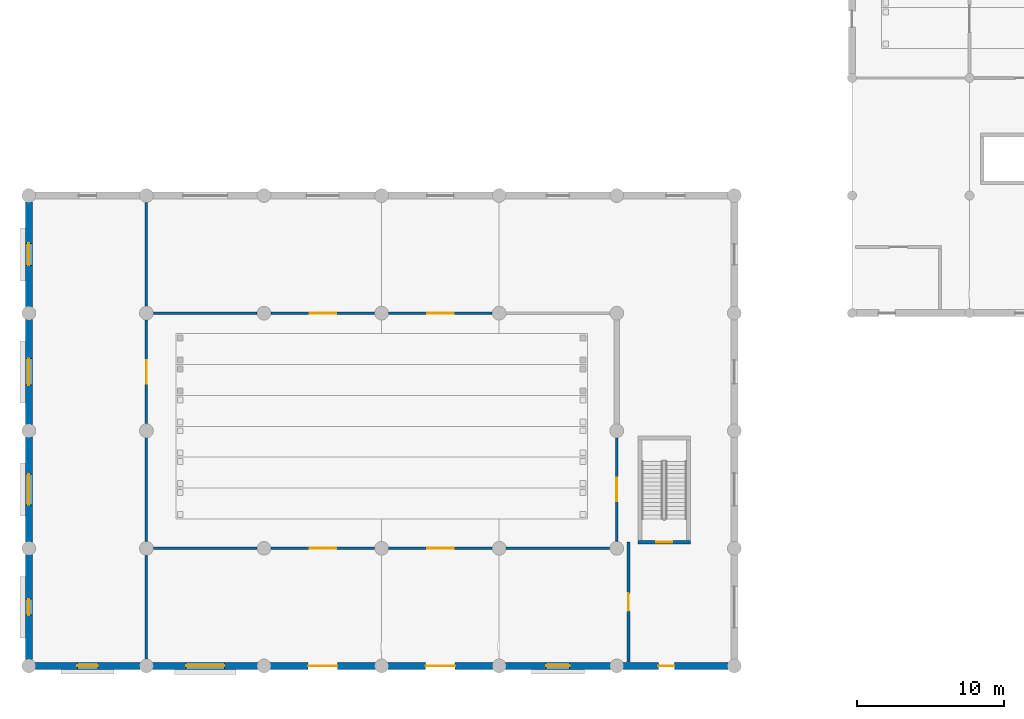
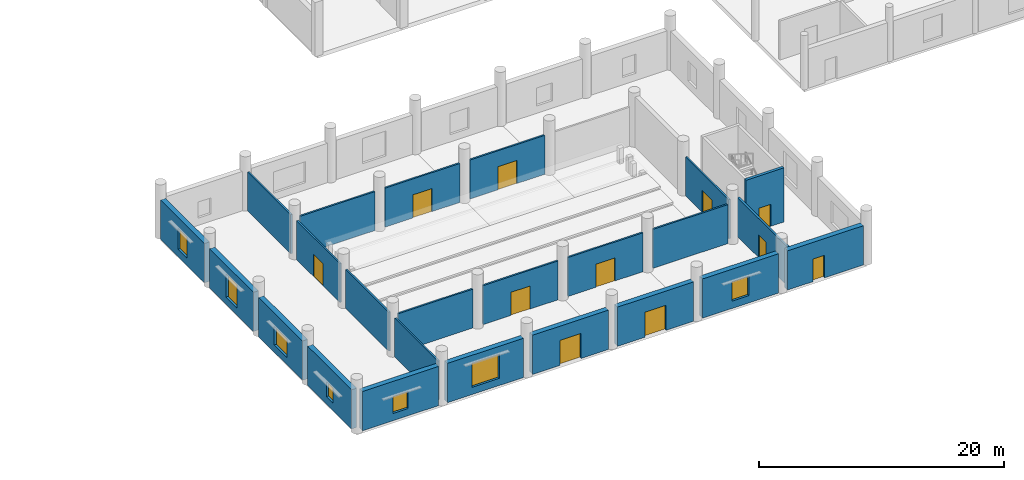
# One storey, part 21 of 42: 24 walls, 11 doors, 7 windows, 18 openings.
"""IFC4 building model written with IfcOpenShell, lengths in metres."""

from ifc_helpers import new_model, si_unit, direction, frame, frame_2d, origin, place, context, subcontext, project, spatial, rectangle, extrude, material, layer, layer_set, type_object, element, fill, save


model = new_model("IFC4")

# Units and contexts
model_context = context("Model", 3, precision=1e-05, world=origin(), true_north=direction((0.0, 1.0)))
body_context = subcontext(model_context, "Body", "Model", "MODEL_VIEW")
ifc_project = project(units=[si_unit("LENGTHUNIT", "METRE"), si_unit("AREAUNIT", "SQUARE_METRE"), si_unit("VOLUMEUNIT", "CUBIC_METRE"), si_unit("PLANEANGLEUNIT", "RADIAN"), si_unit("MASSUNIT", "GRAM", prefix="KILO")], contexts=[model_context])

# Site, building, storey
site_placement = place(None, origin())
site = spatial("IfcSite", under=ifc_project, at=site_placement, CompositionType="ELEMENT")
building_placement = place(site_placement, origin())
building = spatial("IfcBuilding", under=site, at=building_placement, Name="Pecanmere Concourse Central Library", CompositionType="ELEMENT")
storey_placement = place(building_placement, origin())
storey = spatial("IfcBuildingStorey", under=building, at=storey_placement, Name="L01", CompositionType="ELEMENT", Elevation=0.0)

# Wall, opening, window
ifc_material_1 = material(Name="Texas sunset granite ashlar", Category="masonry")
ifc_layer_1 = layer(ifc_material_1, 0.47998046875, Name="EW_GRAN_480")
ifc_layer_set_1 = layer_set([ifc_layer_1], Name="Texas sunset granite ashlar")
wall_type_1 = type_object("IfcWallType", Name="EW_GRAN_480", PredefinedType="STANDARD", material=ifc_layer_set_1)
wall_1_placement = place(storey_placement, frame((0.423095703125, 0.0, 0.0), z_axis=(0.0, 0.0, 1.0), x_axis=(1.0, 0.0, 0.0)))
wall_1 = element("IfcWall", 1, at=wall_1_placement, inside=storey, type_object=wall_type_1, Name="Limestone Facade Wall L01-0010", PredefinedType="STANDARD", context=body_context, shape_type="SweptSolid", body=[
    extrude(rectangle(XDim=7.15380859375, YDim=0.47998046875, at=frame_2d((3.576904296875, 0.0))), origin(), (0.0, 0.0, 1.0), 3.909912109375),
])
opening_1_placement = place(wall_1_placement, frame((2.876953125, 0.0, 0.719970703125)))
opening_1 = element("IfcOpeningElement", 2, at=opening_1_placement, cuts=wall_1, Name="Opening WN-11", PredefinedType="OPENING", context=body_context, shape_type="SweptSolid", body=[
    extrude(rectangle(XDim=1.39990234375, YDim=1.699951171875, at=frame_2d((0.699951171875, 0.85009765625))), frame((0.0, 0.251953125, 0.0), z_axis=(0.0, -1.0, 0.0), x_axis=(1.0, 0.0, 0.0)), (0.0, 0.0, 1.0), 0.50390625),
])
ifc_material_2 = material(Name="Low-iron clear insulated glazing", Category="glass")
window_type_1 = type_object("IfcWindowType", Name="WIN_1400x1700", PartitioningType="SINGLE_PANEL", PredefinedType="WINDOW", material=ifc_material_2)
window_1_placement = place(opening_1_placement, origin())
window_1 = element("IfcWindow", 3, at=window_1_placement, inside=storey, type_object=window_type_1, Name="WN-001", OverallHeight=1.699951171875, OverallWidth=1.39990234375, PartitioningType="SINGLE_PANEL", PredefinedType="WINDOW", context=body_context, shape_type="SweptSolid", body=[
    extrude(rectangle(XDim=1.39990234375, YDim=1.699951171875, at=frame_2d((0.699951171875, 0.85009765625))), frame((0.0, 0.030029296875, 0.0), z_axis=(0.0, -1.0, 0.0), x_axis=(1.0, 0.0, 0.0)), (0.0, 0.0, 1.0), 0.06005859375),
])
fill(opening_1, window_1)

wall_2_placement = place(storey_placement, frame((8.423095703125, 0.0, 0.0), z_axis=(0.0, 0.0, 1.0), x_axis=(1.0, 0.0, 0.0)))
wall_2 = element("IfcWall", 4, at=wall_2_placement, inside=storey, type_object=wall_type_1, Name="Limestone Facade Wall L01-0012", PredefinedType="STANDARD", context=body_context, shape_type="SweptSolid", body=[
    extrude(rectangle(XDim=7.15380859375, YDim=0.47998046875, at=frame_2d((3.576904296875, 0.0))), origin(), (0.0, 0.0, 1.0), 3.909912109375),
])
opening_2_placement = place(wall_2_placement, frame((2.277099609375, 0.0, 0.719970703125)))
opening_2 = element("IfcOpeningElement", 5, at=opening_2_placement, cuts=wall_2, Name="Opening WN-15", PredefinedType="OPENING", context=body_context, shape_type="SweptSolid", body=[
    extrude(rectangle(XDim=2.60009765625, YDim=2.39990234375, at=frame_2d((1.300048828125, 1.199951171875))), frame((0.0, 0.251953125, 0.0), z_axis=(0.0, -1.0, 0.0), x_axis=(1.0, 0.0, 0.0)), (0.0, 0.0, 1.0), 0.50390625),
])
ifc_material_3 = material(Name="Low-iron clear insulated glazing", Category="glass")
window_type_2 = type_object("IfcWindowType", Name="WIN_2600x2400", PartitioningType="SINGLE_PANEL", PredefinedType="WINDOW", material=ifc_material_3)
window_2_placement = place(opening_2_placement, origin())
window_2 = element("IfcWindow", 6, at=window_2_placement, inside=storey, type_object=window_type_2, Name="WN-003", OverallHeight=2.39990234375, OverallWidth=2.60009765625, PartitioningType="SINGLE_PANEL", PredefinedType="WINDOW", context=body_context, shape_type="SweptSolid", body=[
    extrude(rectangle(XDim=2.60009765625, YDim=2.39990234375, at=frame_2d((1.300048828125, 1.199951171875))), frame((0.0, 0.030029296875, 0.0), z_axis=(0.0, -1.0, 0.0), x_axis=(1.0, 0.0, 0.0)), (0.0, 0.0, 1.0), 0.06005859375),
])
fill(opening_2, window_2)

# Wall, opening, door
wall_3_placement = place(storey_placement, frame((16.423095703125, 0.0, 0.0), z_axis=(0.0, 0.0, 1.0), x_axis=(1.0, 0.0, 0.0)))
wall_3 = element("IfcWall", 7, at=wall_3_placement, inside=storey, type_object=wall_type_1, Name="Limestone Facade Wall L01-0014", PredefinedType="STANDARD", context=body_context, shape_type="SweptSolid", body=[
    extrude(rectangle(XDim=7.15380859375, YDim=0.47998046875, at=frame_2d((3.576904296875, 0.0))), origin(), (0.0, 0.0, 1.0), 3.909912109375),
])
opening_3_placement = place(wall_3_placement, frame((2.576904296875, 0.0, 0.0)))
opening_3 = element("IfcOpeningElement", 8, at=opening_3_placement, cuts=wall_3, Name="Opening ED-02", PredefinedType="OPENING", context=body_context, shape_type="SweptSolid", body=[
    extrude(rectangle(XDim=2.0, YDim=2.5, at=frame_2d((1.0, 1.25))), frame((0.0, 0.251953125, 0.0), z_axis=(0.0, -1.0, 0.0), x_axis=(1.0, 0.0, 0.0)), (0.0, 0.0, 1.0), 0.50390625),
])
ifc_material_4 = material(Name="Architectural anodized bronze")
door_type_1 = type_object("IfcDoorType", Name="ED-02", OperationType="DOUBLE_DOOR_SINGLE_SWING", PredefinedType="DOOR", material=ifc_material_4)
door_1_placement = place(opening_3_placement, frame((2.0, 0.0, 0.0), z_axis=(0.0, 0.0, 1.0), x_axis=(-1.0, 0.0, 0.0)))
door_1 = element("IfcDoor", 9, at=door_1_placement, inside=storey, type_object=door_type_1, Name="ED-010", OperationType="DOUBLE_DOOR_SINGLE_SWING", OverallHeight=2.5, OverallWidth=2.0, PredefinedType="DOOR", context=body_context, shape_type="SweptSolid", body=[
    extrude(rectangle(XDim=2.0, YDim=2.5, at=frame_2d((1.0, 1.25))), frame((0.0, 0.02490234375, 0.0), z_axis=(0.0, -1.0, 0.0), x_axis=(1.0, 0.0, 0.0)), (0.0, 0.0, 1.0), 0.050048828125),
])
fill(opening_3, door_1)

wall_4_placement = place(storey_placement, frame((24.423095703125, 0.0, 0.0), z_axis=(0.0, 0.0, 1.0), x_axis=(1.0, 0.0, 0.0)))
wall_4 = element("IfcWall", 10, at=wall_4_placement, inside=storey, type_object=wall_type_1, Name="Limestone Facade Wall L01-0016", PredefinedType="STANDARD", context=body_context, shape_type="SweptSolid", body=[
    extrude(rectangle(XDim=7.15380859375, YDim=0.47998046875, at=frame_2d((3.576904296875, 0.0))), origin(), (0.0, 0.0, 1.0), 3.909912109375),
])
opening_4_placement = place(wall_4_placement, frame((2.576904296875, 0.0, 0.0)))
opening_4 = element("IfcOpeningElement", 11, at=opening_4_placement, cuts=wall_4, Name="Opening ED-02", PredefinedType="OPENING", context=body_context, shape_type="SweptSolid", body=[
    extrude(rectangle(XDim=2.0, YDim=2.5, at=frame_2d((1.0, 1.25))), frame((0.0, 0.251953125, 0.0), z_axis=(0.0, -1.0, 0.0), x_axis=(1.0, 0.0, 0.0)), (0.0, 0.0, 1.0), 0.50390625),
])
door_2_placement = place(opening_4_placement, frame((2.0, 0.0, 0.0), z_axis=(0.0, 0.0, 1.0), x_axis=(-1.0, 0.0, 0.0)))
door_2 = element("IfcDoor", 12, at=door_2_placement, inside=storey, type_object=door_type_1, Name="ED-011", OperationType="DOUBLE_DOOR_SINGLE_SWING", OverallHeight=2.5, OverallWidth=2.0, PredefinedType="DOOR", context=body_context, shape_type="SweptSolid", body=[
    extrude(rectangle(XDim=2.0, YDim=2.5, at=frame_2d((1.0, 1.25))), frame((0.0, 0.02490234375, 0.0), z_axis=(0.0, -1.0, 0.0), x_axis=(1.0, 0.0, 0.0)), (0.0, 0.0, 1.0), 0.050048828125),
])
fill(opening_4, door_2)

# Wall, opening, window
wall_5_placement = place(storey_placement, frame((32.423095703125, 0.0, 0.0), z_axis=(0.0, 0.0, 1.0), x_axis=(1.0, 0.0, 0.0)))
wall_5 = element("IfcWall", 13, at=wall_5_placement, inside=storey, type_object=wall_type_1, Name="Limestone Facade Wall L01-0018", PredefinedType="STANDARD", context=body_context, shape_type="SweptSolid", body=[
    extrude(rectangle(XDim=7.15380859375, YDim=0.47998046875, at=frame_2d((3.576904296875, 0.0))), origin(), (0.0, 0.0, 1.0), 3.909912109375),
])
opening_5_placement = place(wall_5_placement, frame((2.777099609375, 0.0, 0.719970703125)))
opening_5 = element("IfcOpeningElement", 14, at=opening_5_placement, cuts=wall_5, Name="Opening WN-07", PredefinedType="OPENING", context=body_context, shape_type="SweptSolid", body=[
    extrude(rectangle(XDim=1.60009765625, YDim=1.949951171875, at=frame_2d((0.800048828125, 0.97509765625))), frame((0.0, 0.251953125, 0.0), z_axis=(0.0, -1.0, 0.0), x_axis=(1.0, 0.0, 0.0)), (0.0, 0.0, 1.0), 0.50390625),
])
ifc_material_5 = material(Name="Low-iron clear insulated glazing", Category="glass")
window_type_3 = type_object("IfcWindowType", Name="WIN_1600x1950", PartitioningType="SINGLE_PANEL", PredefinedType="WINDOW", material=ifc_material_5)
window_3_placement = place(opening_5_placement, origin())
window_3 = element("IfcWindow", 15, at=window_3_placement, inside=storey, type_object=window_type_3, Name="WN-007", OverallHeight=1.949951171875, OverallWidth=1.60009765625, PartitioningType="SINGLE_PANEL", PredefinedType="WINDOW", context=body_context, shape_type="SweptSolid", body=[
    extrude(rectangle(XDim=1.60009765625, YDim=1.949951171875, at=frame_2d((0.800048828125, 0.97509765625))), frame((0.0, 0.030029296875, 0.0), z_axis=(0.0, -1.0, 0.0), x_axis=(1.0, 0.0, 0.0)), (0.0, 0.0, 1.0), 0.06005859375),
])
fill(opening_5, window_3)

# Wall, opening, door
wall_6_placement = place(storey_placement, frame((40.423095703125, 0.0, 0.0), z_axis=(0.0, 0.0, 1.0), x_axis=(1.0, 0.0, 0.0)))
wall_6 = element("IfcWall", 16, at=wall_6_placement, inside=storey, type_object=wall_type_1, Name="Limestone Facade Wall L01-0020", PredefinedType="STANDARD", context=body_context, shape_type="SweptSolid", body=[
    extrude(rectangle(XDim=7.15380859375, YDim=0.47998046875, at=frame_2d((3.576904296875, 0.0))), origin(), (0.0, 0.0, 1.0), 3.909912109375),
])
opening_6_placement = place(wall_6_placement, frame((2.39990234375, 0.0, 0.0)))
opening_6 = element("IfcOpeningElement", 17, at=opening_6_placement, cuts=wall_6, Name="Opening ED-04", PredefinedType="OPENING", context=body_context, shape_type="SweptSolid", body=[
    extrude(rectangle(XDim=1.10009765625, YDim=2.25, at=frame_2d((0.550048828125, 1.125))), frame((0.0, 0.251953125, 0.0), z_axis=(0.0, -1.0, 0.0), x_axis=(1.0, 0.0, 0.0)), (0.0, 0.0, 1.0), 0.50390625),
])
ifc_material_6 = material(Name="Anodized bronze aluminium alloy 6063-T6", Category="aluminium")
door_type_2 = type_object("IfcDoorType", Name="ED-04", OperationType="SINGLE_SWING_LEFT", PredefinedType="DOOR", material=ifc_material_6)
door_3_placement = place(opening_6_placement, frame((1.10009765625, 0.0, 0.0), z_axis=(0.0, 0.0, 1.0), x_axis=(-1.0, 0.0, 0.0)))
door_3 = element("IfcDoor", 18, at=door_3_placement, inside=storey, type_object=door_type_2, Name="ED-012", OperationType="SINGLE_SWING_LEFT", OverallHeight=2.25, OverallWidth=1.10009765625, PredefinedType="DOOR", context=body_context, shape_type="SweptSolid", body=[
    extrude(rectangle(XDim=1.10009765625, YDim=2.25, at=frame_2d((0.550048828125, 1.125))), frame((0.0, 0.02490234375, 0.0), z_axis=(0.0, -1.0, 0.0), x_axis=(1.0, 0.0, 0.0)), (0.0, 0.0, 1.0), 0.050048828125),
])
fill(opening_6, door_3)

# Wall, opening, window
wall_7_placement = place(storey_placement, frame((0.0, 7.576904296875, 0.0), z_axis=(0.0, 0.0, 1.0), x_axis=(0.0, -1.0, 0.0)))
wall_7 = element("IfcWall", 19, at=wall_7_placement, inside=storey, type_object=wall_type_1, Name="Limestone Facade Wall L01-0022", PredefinedType="STANDARD", context=body_context, shape_type="SweptSolid", body=[
    extrude(rectangle(XDim=7.15380859375, YDim=0.47998046875, at=frame_2d((3.576904296875, 0.0))), origin(), (0.0, 0.0, 1.0), 3.909912109375),
])
opening_7_placement = place(wall_7_placement, frame((3.027099609375, 0.0, 0.719970703125)))
opening_7 = element("IfcOpeningElement", 20, at=opening_7_placement, cuts=wall_7, Name="Opening WN-14", PredefinedType="OPENING", context=body_context, shape_type="SweptSolid", body=[
    extrude(rectangle(XDim=1.10009765625, YDim=1.5, at=frame_2d((0.550048828125, 0.75))), frame((0.0, 0.251953125, 0.0), z_axis=(0.0, -1.0, 0.0), x_axis=(1.0, 0.0, 0.0)), (0.0, 0.0, 1.0), 0.50390625),
])
ifc_material_7 = material(Name="Low-iron clear insulated glazing", Category="glass")
window_type_4 = type_object("IfcWindowType", Name="WIN_1100x1500", PartitioningType="SINGLE_PANEL", PredefinedType="WINDOW", material=ifc_material_7)
window_4_placement = place(opening_7_placement, origin())
window_4 = element("IfcWindow", 21, at=window_4_placement, inside=storey, type_object=window_type_4, Name="WN-010", OverallHeight=1.5, OverallWidth=1.10009765625, PartitioningType="SINGLE_PANEL", PredefinedType="WINDOW", context=body_context, shape_type="SweptSolid", body=[
    extrude(rectangle(XDim=1.10009765625, YDim=1.5, at=frame_2d((0.550048828125, 0.75))), frame((0.0, 0.030029296875, 0.0), z_axis=(0.0, -1.0, 0.0), x_axis=(1.0, 0.0, 0.0)), (0.0, 0.0, 1.0), 0.06005859375),
])
fill(opening_7, window_4)

wall_8_placement = place(storey_placement, frame((0.0, 15.576904296875, 0.0), z_axis=(0.0, 0.0, 1.0), x_axis=(0.0, -1.0, 0.0)))
wall_8 = element("IfcWall", 22, at=wall_8_placement, inside=storey, type_object=wall_type_1, Name="Limestone Facade Wall L01-0024", PredefinedType="STANDARD", context=body_context, shape_type="SweptSolid", body=[
    extrude(rectangle(XDim=7.15380859375, YDim=0.47998046875, at=frame_2d((3.576904296875, 0.0))), origin(), (0.0, 0.0, 1.0), 3.909912109375),
])
opening_8_placement = place(wall_8_placement, frame((2.527099609375, 0.0, 0.719970703125)))
opening_8 = element("IfcOpeningElement", 23, at=opening_8_placement, cuts=wall_8, Name="Opening WN-18", PredefinedType="OPENING", context=body_context, shape_type="SweptSolid", body=[
    extrude(rectangle(XDim=2.10009765625, YDim=1.85009765625, at=frame_2d((1.050048828125, 0.925048828125))), frame((0.0, 0.251953125, 0.0), z_axis=(0.0, -1.0, 0.0), x_axis=(1.0, 0.0, 0.0)), (0.0, 0.0, 1.0), 0.50390625),
])
ifc_material_8 = material(Name="Low-iron clear insulated glazing", Category="glass")
window_type_5 = type_object("IfcWindowType", Name="WIN_2100x1850", PartitioningType="SINGLE_PANEL", PredefinedType="WINDOW", material=ifc_material_8)
window_5_placement = place(opening_8_placement, origin())
window_5 = element("IfcWindow", 24, at=window_5_placement, inside=storey, type_object=window_type_5, Name="WN-012", OverallHeight=1.85009765625, OverallWidth=2.10009765625, PartitioningType="SINGLE_PANEL", PredefinedType="WINDOW", context=body_context, shape_type="SweptSolid", body=[
    extrude(rectangle(XDim=2.10009765625, YDim=1.85009765625, at=frame_2d((1.050048828125, 0.925048828125))), frame((0.0, 0.030029296875, 0.0), z_axis=(0.0, -1.0, 0.0), x_axis=(1.0, 0.0, 0.0)), (0.0, 0.0, 1.0), 0.06005859375),
])
fill(opening_8, window_5)

wall_9_placement = place(storey_placement, frame((0.0, 23.576904296875, 0.0), z_axis=(0.0, 0.0, 1.0), x_axis=(0.0, -1.0, 0.0)))
wall_9 = element("IfcWall", 25, at=wall_9_placement, inside=storey, type_object=wall_type_1, Name="Limestone Facade Wall L01-0026", PredefinedType="STANDARD", context=body_context, shape_type="SweptSolid", body=[
    extrude(rectangle(XDim=7.15380859375, YDim=0.47998046875, at=frame_2d((3.576904296875, 0.0))), origin(), (0.0, 0.0, 1.0), 3.909912109375),
])
opening_9_placement = place(wall_9_placement, frame((2.677001953125, 0.0, 0.719970703125)))
opening_9 = element("IfcOpeningElement", 26, at=opening_9_placement, cuts=wall_9, Name="Opening WN-04", PredefinedType="OPENING", context=body_context, shape_type="SweptSolid", body=[
    extrude(rectangle(XDim=1.800048828125, YDim=2.300048828125, at=frame_2d((0.89990234375, 1.14990234375))), frame((0.0, 0.251953125, 0.0), z_axis=(0.0, -1.0, 0.0), x_axis=(1.0, 0.0, 0.0)), (0.0, 0.0, 1.0), 0.50390625),
])
ifc_material_9 = material(Name="Low-iron clear insulated glazing", Category="glass")
window_type_6 = type_object("IfcWindowType", Name="WIN_1800x2300", PartitioningType="SINGLE_PANEL", PredefinedType="WINDOW", material=ifc_material_9)
window_6_placement = place(opening_9_placement, origin())
window_6 = element("IfcWindow", 27, at=window_6_placement, inside=storey, type_object=window_type_6, Name="WN-014", OverallHeight=2.300048828125, OverallWidth=1.800048828125, PartitioningType="SINGLE_PANEL", PredefinedType="WINDOW", context=body_context, shape_type="SweptSolid", body=[
    extrude(rectangle(XDim=1.800048828125, YDim=2.300048828125, at=frame_2d((0.89990234375, 1.14990234375))), frame((0.0, 0.030029296875, 0.0), z_axis=(0.0, -1.0, 0.0), x_axis=(1.0, 0.0, 0.0)), (0.0, 0.0, 1.0), 0.06005859375),
])
fill(opening_9, window_6)

wall_10_placement = place(storey_placement, frame((0.0, 31.576904296875, 0.0), z_axis=(0.0, 0.0, 1.0), x_axis=(0.0, -1.0, 0.0)))
wall_10 = element("IfcWall", 28, at=wall_10_placement, inside=storey, type_object=wall_type_1, Name="Limestone Facade Wall L01-0028", PredefinedType="STANDARD", context=body_context, shape_type="SweptSolid", body=[
    extrude(rectangle(XDim=7.15380859375, YDim=0.47998046875, at=frame_2d((3.576904296875, 0.0))), origin(), (0.0, 0.0, 1.0), 3.909912109375),
])
opening_10_placement = place(wall_10_placement, frame((2.826904296875, 0.0, 0.719970703125)))
opening_10 = element("IfcOpeningElement", 29, at=opening_10_placement, cuts=wall_10, Name="Opening WN-08", PredefinedType="OPENING", context=body_context, shape_type="SweptSolid", body=[
    extrude(rectangle(XDim=1.5, YDim=2.10009765625, at=frame_2d((0.75, 1.050048828125))), frame((0.0, 0.251953125, 0.0), z_axis=(0.0, -1.0, 0.0), x_axis=(1.0, 0.0, 0.0)), (0.0, 0.0, 1.0), 0.50390625),
])
ifc_material_10 = material(Name="Low-iron clear insulated glazing", Category="glass")
window_type_7 = type_object("IfcWindowType", Name="WIN_1500x2100", PartitioningType="SINGLE_PANEL", PredefinedType="WINDOW", material=ifc_material_10)
window_7_placement = place(opening_10_placement, origin())
window_7 = element("IfcWindow", 30, at=window_7_placement, inside=storey, type_object=window_type_7, Name="WN-016", OverallHeight=2.10009765625, OverallWidth=1.5, PartitioningType="SINGLE_PANEL", PredefinedType="WINDOW", context=body_context, shape_type="SweptSolid", body=[
    extrude(rectangle(XDim=1.5, YDim=2.10009765625, at=frame_2d((0.75, 1.050048828125))), frame((0.0, 0.030029296875, 0.0), z_axis=(0.0, -1.0, 0.0), x_axis=(1.0, 0.0, 0.0)), (0.0, 0.0, 1.0), 0.06005859375),
])
fill(opening_10, window_7)

# Wall
ifc_material_11 = material(Name="Fire-rated gypsum board on acoustic steel stud", Category="steel")
ifc_layer_2 = layer(ifc_material_11, 0.159912109375, Name="IW_PART_160")
ifc_layer_set_2 = layer_set([ifc_layer_2], Name="Fire-rated gypsum board on acoustic steel stud")
wall_type_2 = type_object("IfcWallType", Name="IW_PART_160", PredefinedType="PARTITIONING", material=ifc_layer_set_2)
wall_11_placement = place(storey_placement, frame((8.47998046875, 8.0, 0.0), z_axis=(0.0, 0.0, 1.0), x_axis=(1.0, 0.0, 0.0)))
element("IfcWall", 31, at=wall_11_placement, inside=storey, type_object=wall_type_2, Name="Interior Partition L01-0082", PredefinedType="PARTITIONING", context=body_context, shape_type="SweptSolid", body=[
    extrude(rectangle(XDim=7.0400390625, YDim=0.159912109375, at=frame_2d((3.52001953125, 0.0))), origin(), (0.0, 0.0, 1.0), 3.8798828125),
])

# Wall, opening, door
wall_12_placement = place(storey_placement, frame((16.47998046875, 8.0, 0.0), z_axis=(0.0, 0.0, 1.0), x_axis=(1.0, 0.0, 0.0)))
wall_12 = element("IfcWall", 32, at=wall_12_placement, inside=storey, type_object=wall_type_2, Name="Interior Partition L01-0083", PredefinedType="PARTITIONING", context=body_context, shape_type="SweptSolid", body=[
    extrude(rectangle(XDim=7.0400390625, YDim=0.159912109375, at=frame_2d((3.52001953125, 0.0))), origin(), (0.0, 0.0, 1.0), 3.8798828125),
])
opening_11_placement = place(wall_12_placement, frame((2.6201171875, 0.0, 0.0)))
opening_11 = element("IfcOpeningElement", 33, at=opening_11_placement, cuts=wall_12, Name="Opening DT-01", PredefinedType="OPENING", context=body_context, shape_type="SweptSolid", body=[
    extrude(rectangle(XDim=1.800048828125, YDim=2.300048828125, at=frame_2d((0.89990234375, 1.14990234375))), frame((0.0, 0.091796875, 0.0), z_axis=(0.0, -1.0, 0.0), x_axis=(1.0, 0.0, 0.0)), (0.0, 0.0, 1.0), 0.183837890625),
])
ifc_material_12 = material(Name="Solid white oak architectural joinery")
door_type_3 = type_object("IfcDoorType", Name="DT-01", OperationType="DOUBLE_DOOR_SINGLE_SWING", PredefinedType="DOOR", material=ifc_material_12)
door_4_placement = place(opening_11_placement, frame((1.800048828125, 0.0, 0.0), z_axis=(0.0, 0.0, 1.0), x_axis=(-1.0, 0.0, 0.0)))
door_4 = element("IfcDoor", 34, at=door_4_placement, inside=storey, type_object=door_type_3, Name="D-161", OperationType="DOUBLE_DOOR_SINGLE_SWING", OverallHeight=2.300048828125, OverallWidth=1.800048828125, PredefinedType="DOOR", context=body_context, shape_type="SweptSolid", body=[
    extrude(rectangle(XDim=1.800048828125, YDim=2.300048828125, at=frame_2d((0.89990234375, 1.14990234375))), frame((0.0, 0.02490234375, 0.0), z_axis=(0.0, -1.0, 0.0), x_axis=(1.0, 0.0, 0.0)), (0.0, 0.0, 1.0), 0.050048828125),
])
fill(opening_11, door_4)

wall_13_placement = place(storey_placement, frame((24.47998046875, 8.0, 0.0), z_axis=(0.0, 0.0, 1.0), x_axis=(1.0, 0.0, 0.0)))
wall_13 = element("IfcWall", 35, at=wall_13_placement, inside=storey, type_object=wall_type_2, Name="Interior Partition L01-0084", PredefinedType="PARTITIONING", context=body_context, shape_type="SweptSolid", body=[
    extrude(rectangle(XDim=7.0400390625, YDim=0.159912109375, at=frame_2d((3.52001953125, 0.0))), origin(), (0.0, 0.0, 1.0), 3.8798828125),
])
opening_12_placement = place(wall_13_placement, frame((2.6201171875, 0.0, 0.0)))
opening_12 = element("IfcOpeningElement", 36, at=opening_12_placement, cuts=wall_13, Name="Opening DT-01", PredefinedType="OPENING", context=body_context, shape_type="SweptSolid", body=[
    extrude(rectangle(XDim=1.800048828125, YDim=2.300048828125, at=frame_2d((0.89990234375, 1.14990234375))), frame((0.0, 0.091796875, 0.0), z_axis=(0.0, -1.0, 0.0), x_axis=(1.0, 0.0, 0.0)), (0.0, 0.0, 1.0), 0.183837890625),
])
door_5_placement = place(opening_12_placement, origin())
door_5 = element("IfcDoor", 37, at=door_5_placement, inside=storey, type_object=door_type_3, Name="D-162", OperationType="DOUBLE_DOOR_SINGLE_SWING", OverallHeight=2.300048828125, OverallWidth=1.800048828125, PredefinedType="DOOR", context=body_context, shape_type="SweptSolid", body=[
    extrude(rectangle(XDim=1.800048828125, YDim=2.300048828125, at=frame_2d((0.89990234375, 1.14990234375))), frame((0.0, 0.02490234375, 0.0), z_axis=(0.0, -1.0, 0.0), x_axis=(1.0, 0.0, 0.0)), (0.0, 0.0, 1.0), 0.050048828125),
])
fill(opening_12, door_5)

# Walls
for number, where, z_axis, x_axis, name in (
    (38, (32.47998046875, 8.0, 0.0), (0.0, 0.0, 1.0), (1.0, 0.0, 0.0), "Interior Partition L01-0085"),
    (39, (8.47998046875, 24.0, 0.0), (0.0, 0.0, 1.0), (1.0, 0.0, 0.0), "Interior Partition L01-0086"),
):
    element("IfcWall", number, at=place(storey_placement, frame(where, z_axis=z_axis, x_axis=x_axis)), inside=storey, type_object=wall_type_2, Name=name, PredefinedType="PARTITIONING", context=body_context, shape_type="SweptSolid", body=[
        extrude(rectangle(XDim=7.0400390625, YDim=0.159912109375, at=frame_2d((3.52001953125, 0.0))), origin(), (0.0, 0.0, 1.0), 3.8798828125),
    ])

# Wall, opening, door
wall_14_placement = place(storey_placement, frame((16.47998046875, 24.0, 0.0), z_axis=(0.0, 0.0, 1.0), x_axis=(1.0, 0.0, 0.0)))
wall_14 = element("IfcWall", 40, at=wall_14_placement, inside=storey, type_object=wall_type_2, Name="Interior Partition L01-0087", PredefinedType="PARTITIONING", context=body_context, shape_type="SweptSolid", body=[
    extrude(rectangle(XDim=7.0400390625, YDim=0.159912109375, at=frame_2d((3.52001953125, 0.0))), origin(), (0.0, 0.0, 1.0), 3.8798828125),
])
opening_13_placement = place(wall_14_placement, frame((2.6201171875, 0.0, 0.0)))
opening_13 = element("IfcOpeningElement", 41, at=opening_13_placement, cuts=wall_14, Name="Opening DT-01", PredefinedType="OPENING", context=body_context, shape_type="SweptSolid", body=[
    extrude(rectangle(XDim=1.800048828125, YDim=2.300048828125, at=frame_2d((0.89990234375, 1.14990234375))), frame((0.0, 0.091796875, 0.0), z_axis=(0.0, -1.0, 0.0), x_axis=(1.0, 0.0, 0.0)), (0.0, 0.0, 1.0), 0.183837890625),
])
door_6_placement = place(opening_13_placement, frame((1.800048828125, 0.0, 0.0), z_axis=(0.0, 0.0, 1.0), x_axis=(-1.0, 0.0, 0.0)))
door_6 = element("IfcDoor", 42, at=door_6_placement, inside=storey, type_object=door_type_3, Name="D-163", OperationType="DOUBLE_DOOR_SINGLE_SWING", OverallHeight=2.300048828125, OverallWidth=1.800048828125, PredefinedType="DOOR", context=body_context, shape_type="SweptSolid", body=[
    extrude(rectangle(XDim=1.800048828125, YDim=2.300048828125, at=frame_2d((0.89990234375, 1.14990234375))), frame((0.0, 0.02490234375, 0.0), z_axis=(0.0, -1.0, 0.0), x_axis=(1.0, 0.0, 0.0)), (0.0, 0.0, 1.0), 0.050048828125),
])
fill(opening_13, door_6)

wall_15_placement = place(storey_placement, frame((24.47998046875, 24.0, 0.0), z_axis=(0.0, 0.0, 1.0), x_axis=(1.0, 0.0, 0.0)))
wall_15 = element("IfcWall", 43, at=wall_15_placement, inside=storey, type_object=wall_type_2, Name="Interior Partition L01-0088", PredefinedType="PARTITIONING", context=body_context, shape_type="SweptSolid", body=[
    extrude(rectangle(XDim=7.0400390625, YDim=0.159912109375, at=frame_2d((3.52001953125, 0.0))), origin(), (0.0, 0.0, 1.0), 3.8798828125),
])
opening_14_placement = place(wall_15_placement, frame((2.6201171875, 0.0, 0.0)))
opening_14 = element("IfcOpeningElement", 44, at=opening_14_placement, cuts=wall_15, Name="Opening DT-01", PredefinedType="OPENING", context=body_context, shape_type="SweptSolid", body=[
    extrude(rectangle(XDim=1.800048828125, YDim=2.300048828125, at=frame_2d((0.89990234375, 1.14990234375))), frame((0.0, 0.091796875, 0.0), z_axis=(0.0, -1.0, 0.0), x_axis=(1.0, 0.0, 0.0)), (0.0, 0.0, 1.0), 0.183837890625),
])
door_7_placement = place(opening_14_placement, origin())
door_7 = element("IfcDoor", 45, at=door_7_placement, inside=storey, type_object=door_type_3, Name="D-164", OperationType="DOUBLE_DOOR_SINGLE_SWING", OverallHeight=2.300048828125, OverallWidth=1.800048828125, PredefinedType="DOOR", context=body_context, shape_type="SweptSolid", body=[
    extrude(rectangle(XDim=1.800048828125, YDim=2.300048828125, at=frame_2d((0.89990234375, 1.14990234375))), frame((0.0, 0.02490234375, 0.0), z_axis=(0.0, -1.0, 0.0), x_axis=(1.0, 0.0, 0.0)), (0.0, 0.0, 1.0), 0.050048828125),
])
fill(opening_14, door_7)

# Walls
for number, where, z_axis, x_axis, name in (
    (46, (8.0, 0.47998046875, 0.0), (0.0, 0.0, 1.0), (0.0, 1.0, 0.0), "Interior Partition L01-0090"),
    (47, (8.0, 8.47998046875, 0.0), (0.0, 0.0, 1.0), (0.0, 1.0, 0.0), "Interior Partition L01-0091"),
):
    element("IfcWall", number, at=place(storey_placement, frame(where, z_axis=z_axis, x_axis=x_axis)), inside=storey, type_object=wall_type_2, Name=name, PredefinedType="PARTITIONING", context=body_context, shape_type="SweptSolid", body=[
        extrude(rectangle(XDim=7.0400390625, YDim=0.159912109375, at=frame_2d((3.52001953125, 0.0))), origin(), (0.0, 0.0, 1.0), 3.8798828125),
    ])

# Wall, opening, door
wall_16_placement = place(storey_placement, frame((8.0, 16.47998046875, 0.0), z_axis=(0.0, 0.0, 1.0), x_axis=(0.0, 1.0, 0.0)))
wall_16 = element("IfcWall", 48, at=wall_16_placement, inside=storey, type_object=wall_type_2, Name="Interior Partition L01-0092", PredefinedType="PARTITIONING", context=body_context, shape_type="SweptSolid", body=[
    extrude(rectangle(XDim=7.0400390625, YDim=0.159912109375, at=frame_2d((3.52001953125, 0.0))), origin(), (0.0, 0.0, 1.0), 3.8798828125),
])
opening_15_placement = place(wall_16_placement, frame((2.719970703125, 0.0, 0.0)))
opening_15 = element("IfcOpeningElement", 49, at=opening_15_placement, cuts=wall_16, Name="Opening DT-02", PredefinedType="OPENING", context=body_context, shape_type="SweptSolid", body=[
    extrude(rectangle(XDim=1.60009765625, YDim=2.199951171875, at=frame_2d((0.800048828125, 1.10009765625))), frame((0.0, 0.091796875, 0.0), z_axis=(0.0, -1.0, 0.0), x_axis=(1.0, 0.0, 0.0)), (0.0, 0.0, 1.0), 0.183837890625),
])
ifc_material_13 = material(Name="Solid white oak architectural joinery")
door_type_4 = type_object("IfcDoorType", Name="DT-02", OperationType="DOUBLE_DOOR_SINGLE_SWING", PredefinedType="DOOR", material=ifc_material_13)
door_8_placement = place(opening_15_placement, frame((1.60009765625, 0.0, 0.0), z_axis=(0.0, 0.0, 1.0), x_axis=(-1.0, 0.0, 0.0)))
door_8 = element("IfcDoor", 50, at=door_8_placement, inside=storey, type_object=door_type_4, Name="D-165", OperationType="DOUBLE_DOOR_SINGLE_SWING", OverallHeight=2.199951171875, OverallWidth=1.60009765625, PredefinedType="DOOR", context=body_context, shape_type="SweptSolid", body=[
    extrude(rectangle(XDim=1.60009765625, YDim=2.199951171875, at=frame_2d((0.800048828125, 1.10009765625))), frame((0.0, 0.02490234375, 0.0), z_axis=(0.0, -1.0, 0.0), x_axis=(1.0, 0.0, 0.0)), (0.0, 0.0, 1.0), 0.050048828125),
])
fill(opening_15, door_8)

# Wall
wall_17_placement = place(storey_placement, frame((8.0, 24.47998046875, 0.0), z_axis=(0.0, 0.0, 1.0), x_axis=(0.0, 1.0, 0.0)))
element("IfcWall", 51, at=wall_17_placement, inside=storey, type_object=wall_type_2, Name="Interior Partition L01-0093", PredefinedType="PARTITIONING", context=body_context, shape_type="SweptSolid", body=[
    extrude(rectangle(XDim=7.0400390625, YDim=0.159912109375, at=frame_2d((3.52001953125, 0.0))), origin(), (0.0, 0.0, 1.0), 3.8798828125),
])

# Wall, opening, door
wall_18_placement = place(storey_placement, frame((40.0, 8.47998046875, 0.0), z_axis=(0.0, 0.0, 1.0), x_axis=(0.0, 1.0, 0.0)))
wall_18 = element("IfcWall", 52, at=wall_18_placement, inside=storey, type_object=wall_type_2, Name="Interior Partition L01-0094", PredefinedType="PARTITIONING", context=body_context, shape_type="SweptSolid", body=[
    extrude(rectangle(XDim=7.0400390625, YDim=0.159912109375, at=frame_2d((3.52001953125, 0.0))), origin(), (0.0, 0.0, 1.0), 3.8798828125),
])
opening_16_placement = place(wall_18_placement, frame((2.719970703125, 0.0, 0.0)))
opening_16 = element("IfcOpeningElement", 53, at=opening_16_placement, cuts=wall_18, Name="Opening DT-02", PredefinedType="OPENING", context=body_context, shape_type="SweptSolid", body=[
    extrude(rectangle(XDim=1.60009765625, YDim=2.199951171875, at=frame_2d((0.800048828125, 1.10009765625))), frame((0.0, 0.091796875, 0.0), z_axis=(0.0, -1.0, 0.0), x_axis=(1.0, 0.0, 0.0)), (0.0, 0.0, 1.0), 0.183837890625),
])
door_9_placement = place(opening_16_placement, origin())
door_9 = element("IfcDoor", 54, at=door_9_placement, inside=storey, type_object=door_type_4, Name="D-166", OperationType="DOUBLE_DOOR_SINGLE_SWING", OverallHeight=2.199951171875, OverallWidth=1.60009765625, PredefinedType="DOOR", context=body_context, shape_type="SweptSolid", body=[
    extrude(rectangle(XDim=1.60009765625, YDim=2.199951171875, at=frame_2d((0.800048828125, 1.10009765625))), frame((0.0, 0.02490234375, 0.0), z_axis=(0.0, -1.0, 0.0), x_axis=(1.0, 0.0, 0.0)), (0.0, 0.0, 1.0), 0.050048828125),
])
fill(opening_16, door_9)

ifc_material_14 = material(Name="Fire-rated gypsum board on acoustic steel stud", Category="steel")
ifc_layer_3 = layer(ifc_material_14, 0.199951171875, Name="IW_PART_200")
ifc_layer_set_3 = layer_set([ifc_layer_3], Name="Fire-rated gypsum board on acoustic steel stud")
wall_type_3 = type_object("IfcWallType", Name="IW_PART_200", PredefinedType="PARTITIONING", material=ifc_layer_set_3)
wall_19_placement = place(storey_placement, frame((40.800048828125, 0.260009765625, 0.0), z_axis=(0.0, 0.0, 1.0), x_axis=(0.0, 1.0, 0.0)))
wall_19 = element("IfcWall", 55, at=wall_19_placement, inside=storey, type_object=wall_type_3, Name="Interior Partition L01-0064", PredefinedType="PARTITIONING", context=body_context, shape_type="SweptSolid", body=[
    extrude(rectangle(XDim=8.159912109375, YDim=0.199951171875, at=frame_2d((4.080078125, 0.0))), origin(), (0.0, 0.0, 1.0), 3.8798828125),
])
opening_17_placement = place(wall_19_placement, frame((3.47998046875, 0.0, 0.0)))
opening_17 = element("IfcOpeningElement", 56, at=opening_17_placement, cuts=wall_19, Name="Opening FD-04", PredefinedType="OPENING", context=body_context, shape_type="SweptSolid", body=[
    extrude(rectangle(XDim=1.199951171875, YDim=2.25, at=frame_2d((0.60009765625, 1.125))), frame((0.0, 0.11181640625, 0.0), z_axis=(0.0, -1.0, 0.0), x_axis=(1.0, 0.0, 0.0)), (0.0, 0.0, 1.0), 0.223876953125),
])
ifc_material_15 = material(Name="Painted architectural steel ASTM A36", Category="steel")
door_type_5 = type_object("IfcDoorType", Name="FD-04", OperationType="SINGLE_SWING_LEFT", PredefinedType="DOOR", material=ifc_material_15)
door_10_placement = place(opening_17_placement, origin())
door_10 = element("IfcDoor", 57, at=door_10_placement, inside=storey, type_object=door_type_5, Name="D-149", OperationType="SINGLE_SWING_LEFT", OverallHeight=2.25, OverallWidth=1.199951171875, PredefinedType="DOOR", context=body_context, shape_type="SweptSolid", body=[
    extrude(rectangle(XDim=1.199951171875, YDim=2.25, at=frame_2d((0.60009765625, 1.125))), frame((0.0, 0.02490234375, 0.0), z_axis=(0.0, -1.0, 0.0), x_axis=(1.0, 0.0, 0.0)), (0.0, 0.0, 1.0), 0.050048828125),
])
fill(opening_17, door_10)

ifc_material_16 = material(Name="Concrete C40/50", Category="concrete")
ifc_layer_4 = layer(ifc_material_16, 0.260009765625, Name="WALL_SLD_260")
ifc_layer_set_4 = layer_set([ifc_layer_4], Name="Concrete C40/50")
wall_type_4 = type_object("IfcWallType", Name="WALL_SLD_260", PredefinedType="SOLIDWALL", material=ifc_layer_set_4)
wall_20_placement = place(storey_placement, frame((41.43994140625, 8.419921875, 0.0), z_axis=(0.0, 0.0, 1.0), x_axis=(1.0, 0.0, 0.0)))
wall_20 = element("IfcWall", 58, at=wall_20_placement, inside=storey, type_object=wall_type_4, Name="Core C7 South Wall L01", PredefinedType="SOLIDWALL", context=body_context, shape_type="SweptSolid", body=[
    extrude(rectangle(XDim=3.580078125, YDim=0.260009765625, at=frame_2d((1.7900390625, 0.0))), origin(), (0.0, 0.0, 1.0), 5.39990234375),
])
opening_18_placement = place(wall_20_placement, frame((1.239990234375, 0.0, 0.0)))
opening_18 = element("IfcOpeningElement", 59, at=opening_18_placement, cuts=wall_20, Name="Opening FD-01", PredefinedType="OPENING", context=body_context, shape_type="SweptSolid", body=[
    extrude(rectangle(XDim=1.10009765625, YDim=2.199951171875, at=frame_2d((0.550048828125, 1.10009765625))), frame((0.0, 0.14208984375, 0.0), z_axis=(0.0, -1.0, 0.0), x_axis=(1.0, 0.0, 0.0)), (0.0, 0.0, 1.0), 0.283935546875),
])
ifc_material_17 = material(Name="Painted architectural steel ASTM A36", Category="steel")
door_type_6 = type_object("IfcDoorType", Name="FD-01", OperationType="SINGLE_SWING_LEFT", PredefinedType="DOOR", material=ifc_material_17)
door_11_placement = place(opening_18_placement, frame((1.10009765625, 0.0, 0.0), z_axis=(0.0, 0.0, 1.0), x_axis=(-1.0, 0.0, 0.0)))
door_11 = element("IfcDoor", 60, at=door_11_placement, inside=storey, type_object=door_type_6, Name="D-046", OperationType="SINGLE_SWING_LEFT", OverallHeight=2.199951171875, OverallWidth=1.10009765625, PredefinedType="DOOR", context=body_context, shape_type="SweptSolid", body=[
    extrude(rectangle(XDim=1.10009765625, YDim=2.199951171875, at=frame_2d((0.550048828125, 1.10009765625))), frame((0.0, 0.02490234375, 0.0), z_axis=(0.0, -1.0, 0.0), x_axis=(1.0, 0.0, 0.0)), (0.0, 0.0, 1.0), 0.050048828125),
])
fill(opening_18, door_11)

save(model, "model.ifc")
